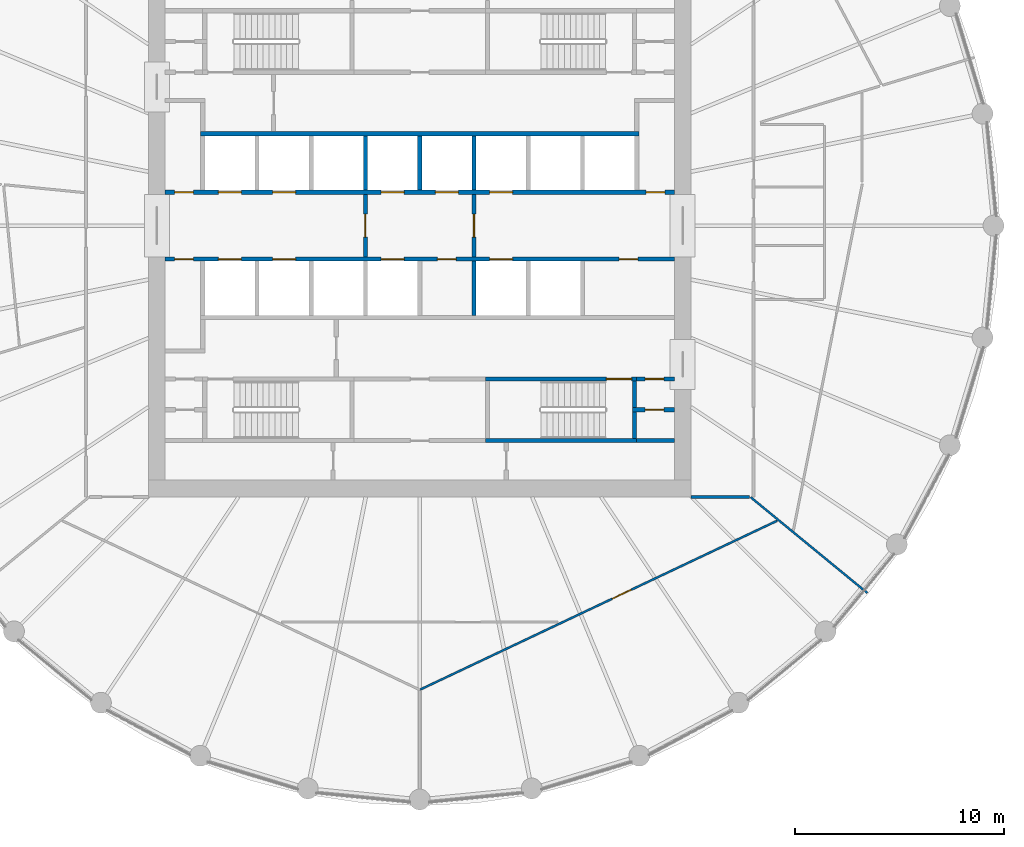
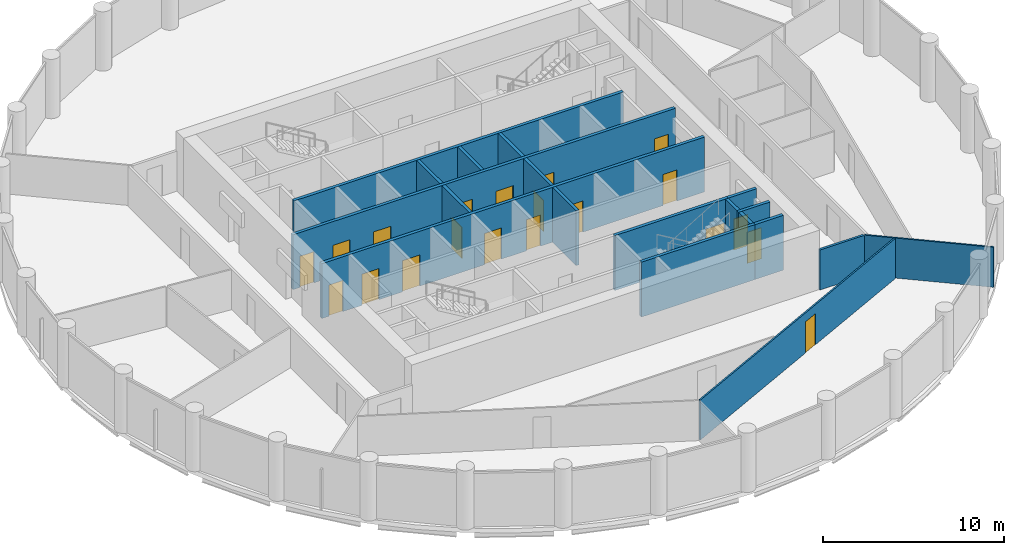
# One storey, part 5 of 8: 20 doors, 19 walls, 20 openings.
"""IFC4 building model written with IfcOpenShell, lengths in metres."""

from ifc_helpers import new_model, si_unit, direction, frame, frame_2d, origin, place, context, subcontext, project, spatial, polyline, rectangle, outline, extrude, material, layer, layer_set, type_object, element, fill, save


model = new_model("IFC4")

# Units and contexts
model_context = context("Model", 3, precision=1e-05, world=origin(), true_north=direction((0.0, 1.0)))
body_context = subcontext(model_context, "Body", "Model", "MODEL_VIEW")
ifc_project = project(units=[si_unit("LENGTHUNIT", "METRE"), si_unit("AREAUNIT", "SQUARE_METRE"), si_unit("VOLUMEUNIT", "CUBIC_METRE"), si_unit("PLANEANGLEUNIT", "RADIAN"), si_unit("MASSUNIT", "GRAM", prefix="KILO")], contexts=[model_context])

# Site, building, storey
site_placement = place(None, origin())
site = spatial("IfcSite", under=ifc_project, at=site_placement, CompositionType="ELEMENT")
building_placement = place(site_placement, origin())
building = spatial("IfcBuilding", under=site, at=building_placement, Name="Corvane Civic Tower", CompositionType="ELEMENT")
storey_placement = place(building_placement, frame((0.0, 0.0, 213.5)))
storey = spatial("IfcBuildingStorey", under=building, at=storey_placement, Name="L50", CompositionType="ELEMENT", Elevation=213.5)

# Wall, opening, door
ifc_material_1 = material(Name="Concrete C30/37", Category="concrete")
ifc_layer_1 = layer(ifc_material_1, 0.199951171875)
ifc_layer_set_1 = layer_set([ifc_layer_1], Name="Concrete C30/37")
wall_type_1 = type_object("IfcWallType", Name="CR-WALL-200", PredefinedType="PARTITIONING", material=ifc_layer_set_1)
wall_1_placement = place(storey_placement, frame((10.199951171875, -8.824951171875, 0.0), z_axis=(0.0, 0.0, 1.0), x_axis=(1.0, 0.0, 0.0)))
wall_1 = element("IfcWall", 1, at=wall_1_placement, inside=storey, type_object=wall_type_1, Name="L50 partition wall", PredefinedType="PARTITIONING", context=body_context, shape_type="SweptSolid", body=[
    extrude(rectangle(XDim=2.0, YDim=0.199951171875, at=frame_2d((1.0, 0.0))), origin(), (0.0, 0.0, 1.0), 3.699951171875),
])
opening_1_placement = place(wall_1_placement, frame((0.60009765625, 0.0, 0.0)))
opening_1 = element("IfcOpeningElement", 2, at=opening_1_placement, cuts=wall_1, Name="Opening L50.C21", PredefinedType="OPENING", context=body_context, shape_type="SweptSolid", body=[
    extrude(rectangle(XDim=0.89990234375, YDim=2.10009765625, at=frame_2d((0.449951171875, 1.050048828125))), frame((0.0, 0.10986328125, 0.0), z_axis=(0.0, -1.0, 0.0), x_axis=(1.0, 0.0, 0.0)), (0.0, 0.0, 1.0), 0.219970703125),
])
ifc_material_2 = material(Name="Steel fire door leaf", Category="steel")
door_type_1 = type_object("IfcDoorType", Name="CR-DOOR-900", OperationType="SINGLE_SWING_LEFT", PredefinedType="DOOR", material=ifc_material_2)
door_1_placement = place(opening_1_placement, origin())
door_1 = element("IfcDoor", 3, at=door_1_placement, inside=storey, type_object=door_type_1, Name="L50 door", OperationType="SINGLE_SWING_LEFT", OverallHeight=2.10009765625, OverallWidth=0.89990234375, PredefinedType="DOOR", context=body_context, shape_type="SweptSolid", body=[
    extrude(rectangle(XDim=0.89990234375, YDim=2.10009765625, at=frame_2d((0.449951171875, 1.050048828125))), frame((0.0, 0.02490234375, 0.0), z_axis=(0.0, -1.0, 0.0), x_axis=(1.0, 0.0, 0.0)), (0.0, 0.0, 1.0), 0.050048828125),
])
fill(opening_1, door_1)

wall_2_placement = place(storey_placement, frame((10.39990234375, -7.35009765625, 0.0), z_axis=(0.0, 0.0, 1.0), x_axis=(1.0, 0.0, 0.0)))
wall_2 = element("IfcWall", 4, at=wall_2_placement, inside=storey, type_object=wall_type_1, Name="L50 core partition wall", PredefinedType="PARTITIONING", context=body_context, shape_type="SweptSolid", body=[
    extrude(rectangle(XDim=1.800048828125, YDim=0.199951171875, at=frame_2d((0.89990234375, 0.0))), origin(), (0.0, 0.0, 1.0), 3.699951171875),
])
opening_2_placement = place(wall_2_placement, frame((0.39990234375, 0.0, 0.0)))
opening_2 = element("IfcOpeningElement", 5, at=opening_2_placement, cuts=wall_2, Name="Opening L50.C20", PredefinedType="OPENING", context=body_context, shape_type="SweptSolid", body=[
    extrude(rectangle(XDim=0.89990234375, YDim=2.10009765625, at=frame_2d((0.449951171875, 1.050048828125))), frame((0.0, 0.10986328125, 0.0), z_axis=(0.0, -1.0, 0.0), x_axis=(1.0, 0.0, 0.0)), (0.0, 0.0, 1.0), 0.219970703125),
])
door_2_placement = place(opening_2_placement, origin())
door_2 = element("IfcDoor", 6, at=door_2_placement, inside=storey, type_object=door_type_1, Name="L50 door", OperationType="SINGLE_SWING_LEFT", OverallHeight=2.10009765625, OverallWidth=0.89990234375, PredefinedType="DOOR", context=body_context, shape_type="SweptSolid", body=[
    extrude(rectangle(XDim=0.89990234375, YDim=2.10009765625, at=frame_2d((0.449951171875, 1.050048828125))), frame((0.0, 0.02490234375, 0.0), z_axis=(0.0, -1.0, 0.0), x_axis=(1.0, 0.0, 0.0)), (0.0, 0.0, 1.0), 0.050048828125),
])
fill(opening_2, door_2)

# Wall, openings, doors
wall_3_placement = place(storey_placement, frame((-12.199951171875, -1.60009765625, 0.0), z_axis=(0.0, 0.0, 1.0), x_axis=(1.0, 0.0, 0.0)))
wall_3 = element("IfcWall", 7, at=wall_3_placement, inside=storey, type_object=wall_type_1, Name="L50 lift shaft wall", PredefinedType="PARTITIONING", context=body_context, shape_type="SweptSolid", body=[
    extrude(rectangle(XDim=24.39990234375, YDim=0.199951171875, at=frame_2d((12.199951171875, 0.0))), origin(), (0.0, 0.0, 1.0), 3.699951171875),
])
opening_3_placement = place(wall_3_placement, frame((2.550048828125, 0.0, 0.0)))
opening_3 = element("IfcOpeningElement", 8, at=opening_3_placement, cuts=wall_3, Name="Opening LD", PredefinedType="OPENING", context=body_context, shape_type="SweptSolid", body=[
    extrude(rectangle(XDim=1.10009765625, YDim=2.10009765625, at=frame_2d((0.550048828125, 1.050048828125))), frame((0.0, 0.10986328125, 0.0), z_axis=(0.0, -1.0, 0.0), x_axis=(1.0, 0.0, 0.0)), (0.0, 0.0, 1.0), 0.219970703125),
])
opening_4_placement = place(wall_3_placement, frame((5.14990234375, 0.0, 0.0)))
opening_4 = element("IfcOpeningElement", 9, at=opening_4_placement, cuts=wall_3, Name="Opening LD", PredefinedType="OPENING", context=body_context, shape_type="SweptSolid", body=[
    extrude(rectangle(XDim=1.10009765625, YDim=2.10009765625, at=frame_2d((0.550048828125, 1.050048828125))), frame((0.0, 0.10986328125, 0.0), z_axis=(0.0, -1.0, 0.0), x_axis=(1.0, 0.0, 0.0)), (0.0, 0.0, 1.0), 0.219970703125),
])
opening_5_placement = place(wall_3_placement, frame((10.35009765625, 0.0, 0.0)))
opening_5 = element("IfcOpeningElement", 10, at=opening_5_placement, cuts=wall_3, Name="Opening LD", PredefinedType="OPENING", context=body_context, shape_type="SweptSolid", body=[
    extrude(rectangle(XDim=1.10009765625, YDim=2.10009765625, at=frame_2d((0.550048828125, 1.050048828125))), frame((0.0, 0.10986328125, 0.0), z_axis=(0.0, -1.0, 0.0), x_axis=(1.0, 0.0, 0.0)), (0.0, 0.0, 1.0), 0.219970703125),
])
opening_6_placement = place(wall_3_placement, frame((13.050048828125, 0.0, 0.0)))
opening_6 = element("IfcOpeningElement", 11, at=opening_6_placement, cuts=wall_3, Name="Opening L50.C03", PredefinedType="OPENING", context=body_context, shape_type="SweptSolid", body=[
    extrude(rectangle(XDim=0.89990234375, YDim=2.10009765625, at=frame_2d((0.449951171875, 1.050048828125))), frame((0.0, 0.10986328125, 0.0), z_axis=(0.0, -1.0, 0.0), x_axis=(1.0, 0.0, 0.0)), (0.0, 0.0, 1.0), 0.219970703125),
])
opening_7_placement = place(wall_3_placement, frame((15.550048828125, 0.0, 0.0)))
opening_7 = element("IfcOpeningElement", 12, at=opening_7_placement, cuts=wall_3, Name="Opening LD", PredefinedType="OPENING", context=body_context, shape_type="SweptSolid", body=[
    extrude(rectangle(XDim=1.10009765625, YDim=2.10009765625, at=frame_2d((0.550048828125, 1.050048828125))), frame((0.0, 0.10986328125, 0.0), z_axis=(0.0, -1.0, 0.0), x_axis=(1.0, 0.0, 0.0)), (0.0, 0.0, 1.0), 0.219970703125),
])
opening_8_placement = place(wall_3_placement, frame((0.449951171875, 0.0, 0.0)))
opening_8 = element("IfcOpeningElement", 13, at=opening_8_placement, cuts=wall_3, Name="Opening L50.C04", PredefinedType="OPENING", context=body_context, shape_type="SweptSolid", body=[
    extrude(rectangle(XDim=0.89990234375, YDim=2.10009765625, at=frame_2d((0.449951171875, 1.050048828125))), frame((0.0, 0.10986328125, 0.0), z_axis=(0.0, -1.0, 0.0), x_axis=(1.0, 0.0, 0.0)), (0.0, 0.0, 1.0), 0.219970703125),
])
opening_9_placement = place(wall_3_placement, frame((21.75, 0.0, 0.0)))
opening_9 = element("IfcOpeningElement", 14, at=opening_9_placement, cuts=wall_3, Name="Opening L50.C05", PredefinedType="OPENING", context=body_context, shape_type="SweptSolid", body=[
    extrude(rectangle(XDim=0.89990234375, YDim=2.10009765625, at=frame_2d((0.449951171875, 1.050048828125))), frame((0.0, 0.10986328125, 0.0), z_axis=(0.0, -1.0, 0.0), x_axis=(1.0, 0.0, 0.0)), (0.0, 0.0, 1.0), 0.219970703125),
])
door_3_placement = place(opening_6_placement, origin())
door_3 = element("IfcDoor", 15, at=door_3_placement, inside=storey, type_object=door_type_1, Name="L50 door", OperationType="SINGLE_SWING_LEFT", OverallHeight=2.10009765625, OverallWidth=0.89990234375, PredefinedType="DOOR", context=body_context, shape_type="SweptSolid", body=[
    extrude(rectangle(XDim=0.89990234375, YDim=2.10009765625, at=frame_2d((0.449951171875, 1.050048828125))), frame((0.0, 0.02490234375, 0.0), z_axis=(0.0, -1.0, 0.0), x_axis=(1.0, 0.0, 0.0)), (0.0, 0.0, 1.0), 0.050048828125),
])
fill(opening_6, door_3)
door_4_placement = place(opening_8_placement, origin())
door_4 = element("IfcDoor", 16, at=door_4_placement, inside=storey, type_object=door_type_1, Name="L50 door", OperationType="SINGLE_SWING_LEFT", OverallHeight=2.10009765625, OverallWidth=0.89990234375, PredefinedType="DOOR", context=body_context, shape_type="SweptSolid", body=[
    extrude(rectangle(XDim=0.89990234375, YDim=2.10009765625, at=frame_2d((0.449951171875, 1.050048828125))), frame((0.0, 0.02490234375, 0.0), z_axis=(0.0, -1.0, 0.0), x_axis=(1.0, 0.0, 0.0)), (0.0, 0.0, 1.0), 0.050048828125),
])
fill(opening_8, door_4)
door_5_placement = place(opening_9_placement, origin())
door_5 = element("IfcDoor", 17, at=door_5_placement, inside=storey, type_object=door_type_1, Name="L50 door", OperationType="SINGLE_SWING_LEFT", OverallHeight=2.10009765625, OverallWidth=0.89990234375, PredefinedType="DOOR", context=body_context, shape_type="SweptSolid", body=[
    extrude(rectangle(XDim=0.89990234375, YDim=2.10009765625, at=frame_2d((0.449951171875, 1.050048828125))), frame((0.0, 0.02490234375, 0.0), z_axis=(0.0, -1.0, 0.0), x_axis=(1.0, 0.0, 0.0)), (0.0, 0.0, 1.0), 0.050048828125),
])
fill(opening_9, door_5)
ifc_material_3 = material(Name="Stainless steel 316 door leaves", Category="steel")
door_type_2 = type_object("IfcDoorType", Name="LD", OperationType="DOUBLE_DOOR_SLIDING", PredefinedType="DOOR", material=ifc_material_3)
door_6_placement = place(opening_3_placement, origin())
door_6 = element("IfcDoor", 18, at=door_6_placement, inside=storey, type_object=door_type_2, Name="L50 landing door", OperationType="DOUBLE_DOOR_SLIDING", OverallHeight=2.10009765625, OverallWidth=1.10009765625, PredefinedType="DOOR", context=body_context, shape_type="SweptSolid", body=[
    extrude(rectangle(XDim=1.10009765625, YDim=2.10009765625, at=frame_2d((0.550048828125, 1.050048828125))), frame((0.0, 0.02490234375, 0.0), z_axis=(0.0, -1.0, 0.0), x_axis=(1.0, 0.0, 0.0)), (0.0, 0.0, 1.0), 0.050048828125),
])
fill(opening_3, door_6)
door_7_placement = place(opening_4_placement, origin())
door_7 = element("IfcDoor", 19, at=door_7_placement, inside=storey, type_object=door_type_2, Name="L50 landing door", OperationType="DOUBLE_DOOR_SLIDING", OverallHeight=2.10009765625, OverallWidth=1.10009765625, PredefinedType="DOOR", context=body_context, shape_type="SweptSolid", body=[
    extrude(rectangle(XDim=1.10009765625, YDim=2.10009765625, at=frame_2d((0.550048828125, 1.050048828125))), frame((0.0, 0.02490234375, 0.0), z_axis=(0.0, -1.0, 0.0), x_axis=(1.0, 0.0, 0.0)), (0.0, 0.0, 1.0), 0.050048828125),
])
fill(opening_4, door_7)
door_8_placement = place(opening_5_placement, origin())
door_8 = element("IfcDoor", 20, at=door_8_placement, inside=storey, type_object=door_type_2, Name="L50 landing door", OperationType="DOUBLE_DOOR_SLIDING", OverallHeight=2.10009765625, OverallWidth=1.10009765625, PredefinedType="DOOR", context=body_context, shape_type="SweptSolid", body=[
    extrude(rectangle(XDim=1.10009765625, YDim=2.10009765625, at=frame_2d((0.550048828125, 1.050048828125))), frame((0.0, 0.02490234375, 0.0), z_axis=(0.0, -1.0, 0.0), x_axis=(1.0, 0.0, 0.0)), (0.0, 0.0, 1.0), 0.050048828125),
])
fill(opening_5, door_8)
door_9_placement = place(opening_7_placement, origin())
door_9 = element("IfcDoor", 21, at=door_9_placement, inside=storey, type_object=door_type_2, Name="L50 landing door", OperationType="DOUBLE_DOOR_SLIDING", OverallHeight=2.10009765625, OverallWidth=1.10009765625, PredefinedType="DOOR", context=body_context, shape_type="SweptSolid", body=[
    extrude(rectangle(XDim=1.10009765625, YDim=2.10009765625, at=frame_2d((0.550048828125, 1.050048828125))), frame((0.0, 0.02490234375, 0.0), z_axis=(0.0, -1.0, 0.0), x_axis=(1.0, 0.0, 0.0)), (0.0, 0.0, 1.0), 0.050048828125),
])
fill(opening_7, door_9)

wall_4_placement = place(storey_placement, frame((-12.199951171875, 1.60009765625, 0.0), z_axis=(0.0, 0.0, 1.0), x_axis=(1.0, 0.0, 0.0)))
wall_4 = element("IfcWall", 22, at=wall_4_placement, inside=storey, type_object=wall_type_1, Name="L50 lift shaft wall", PredefinedType="PARTITIONING", context=body_context, shape_type="SweptSolid", body=[
    extrude(rectangle(XDim=24.39990234375, YDim=0.199951171875, at=frame_2d((12.199951171875, 0.0))), origin(), (0.0, 0.0, 1.0), 3.699951171875),
])
opening_10_placement = place(wall_4_placement, frame((2.550048828125, 0.0, 0.0)))
opening_10 = element("IfcOpeningElement", 23, at=opening_10_placement, cuts=wall_4, Name="Opening LD", PredefinedType="OPENING", context=body_context, shape_type="SweptSolid", body=[
    extrude(rectangle(XDim=1.10009765625, YDim=2.10009765625, at=frame_2d((0.550048828125, 1.050048828125))), frame((0.0, 0.10986328125, 0.0), z_axis=(0.0, -1.0, 0.0), x_axis=(1.0, 0.0, 0.0)), (0.0, 0.0, 1.0), 0.219970703125),
])
opening_11_placement = place(wall_4_placement, frame((5.14990234375, 0.0, 0.0)))
opening_11 = element("IfcOpeningElement", 24, at=opening_11_placement, cuts=wall_4, Name="Opening LD", PredefinedType="OPENING", context=body_context, shape_type="SweptSolid", body=[
    extrude(rectangle(XDim=1.10009765625, YDim=2.10009765625, at=frame_2d((0.550048828125, 1.050048828125))), frame((0.0, 0.10986328125, 0.0), z_axis=(0.0, -1.0, 0.0), x_axis=(1.0, 0.0, 0.0)), (0.0, 0.0, 1.0), 0.219970703125),
])
opening_12_placement = place(wall_4_placement, frame((10.35009765625, 0.0, 0.0)))
opening_12 = element("IfcOpeningElement", 25, at=opening_12_placement, cuts=wall_4, Name="Opening LD", PredefinedType="OPENING", context=body_context, shape_type="SweptSolid", body=[
    extrude(rectangle(XDim=1.10009765625, YDim=2.10009765625, at=frame_2d((0.550048828125, 1.050048828125))), frame((0.0, 0.10986328125, 0.0), z_axis=(0.0, -1.0, 0.0), x_axis=(1.0, 0.0, 0.0)), (0.0, 0.0, 1.0), 0.219970703125),
])
opening_13_placement = place(wall_4_placement, frame((12.949951171875, 0.0, 0.0)))
opening_13 = element("IfcOpeningElement", 26, at=opening_13_placement, cuts=wall_4, Name="Opening LD", PredefinedType="OPENING", context=body_context, shape_type="SweptSolid", body=[
    extrude(rectangle(XDim=1.10009765625, YDim=2.10009765625, at=frame_2d((0.550048828125, 1.050048828125))), frame((0.0, 0.10986328125, 0.0), z_axis=(0.0, -1.0, 0.0), x_axis=(1.0, 0.0, 0.0)), (0.0, 0.0, 1.0), 0.219970703125),
])
opening_14_placement = place(wall_4_placement, frame((15.550048828125, 0.0, 0.0)))
opening_14 = element("IfcOpeningElement", 27, at=opening_14_placement, cuts=wall_4, Name="Opening LD", PredefinedType="OPENING", context=body_context, shape_type="SweptSolid", body=[
    extrude(rectangle(XDim=1.10009765625, YDim=2.10009765625, at=frame_2d((0.550048828125, 1.050048828125))), frame((0.0, 0.10986328125, 0.0), z_axis=(0.0, -1.0, 0.0), x_axis=(1.0, 0.0, 0.0)), (0.0, 0.0, 1.0), 0.219970703125),
])
opening_15_placement = place(wall_4_placement, frame((0.449951171875, 0.0, 0.0)))
opening_15 = element("IfcOpeningElement", 28, at=opening_15_placement, cuts=wall_4, Name="Opening L50.C01", PredefinedType="OPENING", context=body_context, shape_type="SweptSolid", body=[
    extrude(rectangle(XDim=0.89990234375, YDim=2.10009765625, at=frame_2d((0.449951171875, 1.050048828125))), frame((0.0, 0.10986328125, 0.0), z_axis=(0.0, -1.0, 0.0), x_axis=(1.0, 0.0, 0.0)), (0.0, 0.0, 1.0), 0.219970703125),
])
opening_16_placement = place(wall_4_placement, frame((23.050048828125, 0.0, 0.0)))
opening_16 = element("IfcOpeningElement", 29, at=opening_16_placement, cuts=wall_4, Name="Opening L50.C02", PredefinedType="OPENING", context=body_context, shape_type="SweptSolid", body=[
    extrude(rectangle(XDim=0.89990234375, YDim=2.10009765625, at=frame_2d((0.449951171875, 1.050048828125))), frame((0.0, 0.10986328125, 0.0), z_axis=(0.0, -1.0, 0.0), x_axis=(1.0, 0.0, 0.0)), (0.0, 0.0, 1.0), 0.219970703125),
])
door_10_placement = place(opening_15_placement, origin())
door_10 = element("IfcDoor", 30, at=door_10_placement, inside=storey, type_object=door_type_1, Name="L50 door", OperationType="SINGLE_SWING_LEFT", OverallHeight=2.10009765625, OverallWidth=0.89990234375, PredefinedType="DOOR", context=body_context, shape_type="SweptSolid", body=[
    extrude(rectangle(XDim=0.89990234375, YDim=2.10009765625, at=frame_2d((0.449951171875, 1.050048828125))), frame((0.0, 0.02490234375, 0.0), z_axis=(0.0, -1.0, 0.0), x_axis=(1.0, 0.0, 0.0)), (0.0, 0.0, 1.0), 0.050048828125),
])
fill(opening_15, door_10)
door_11_placement = place(opening_16_placement, origin())
door_11 = element("IfcDoor", 31, at=door_11_placement, inside=storey, type_object=door_type_1, Name="L50 door", OperationType="SINGLE_SWING_LEFT", OverallHeight=2.10009765625, OverallWidth=0.89990234375, PredefinedType="DOOR", context=body_context, shape_type="SweptSolid", body=[
    extrude(rectangle(XDim=0.89990234375, YDim=2.10009765625, at=frame_2d((0.449951171875, 1.050048828125))), frame((0.0, 0.02490234375, 0.0), z_axis=(0.0, -1.0, 0.0), x_axis=(1.0, 0.0, 0.0)), (0.0, 0.0, 1.0), 0.050048828125),
])
fill(opening_16, door_11)
door_12_placement = place(opening_10_placement, origin())
door_12 = element("IfcDoor", 32, at=door_12_placement, inside=storey, type_object=door_type_2, Name="L50 landing door", OperationType="DOUBLE_DOOR_SLIDING", OverallHeight=2.10009765625, OverallWidth=1.10009765625, PredefinedType="DOOR", context=body_context, shape_type="SweptSolid", body=[
    extrude(rectangle(XDim=1.10009765625, YDim=2.10009765625, at=frame_2d((0.550048828125, 1.050048828125))), frame((0.0, 0.02490234375, 0.0), z_axis=(0.0, -1.0, 0.0), x_axis=(1.0, 0.0, 0.0)), (0.0, 0.0, 1.0), 0.050048828125),
])
fill(opening_10, door_12)
door_13_placement = place(opening_11_placement, origin())
door_13 = element("IfcDoor", 33, at=door_13_placement, inside=storey, type_object=door_type_2, Name="L50 landing door", OperationType="DOUBLE_DOOR_SLIDING", OverallHeight=2.10009765625, OverallWidth=1.10009765625, PredefinedType="DOOR", context=body_context, shape_type="SweptSolid", body=[
    extrude(rectangle(XDim=1.10009765625, YDim=2.10009765625, at=frame_2d((0.550048828125, 1.050048828125))), frame((0.0, 0.02490234375, 0.0), z_axis=(0.0, -1.0, 0.0), x_axis=(1.0, 0.0, 0.0)), (0.0, 0.0, 1.0), 0.050048828125),
])
fill(opening_11, door_13)
door_14_placement = place(opening_12_placement, origin())
door_14 = element("IfcDoor", 34, at=door_14_placement, inside=storey, type_object=door_type_2, Name="L50 landing door", OperationType="DOUBLE_DOOR_SLIDING", OverallHeight=2.10009765625, OverallWidth=1.10009765625, PredefinedType="DOOR", context=body_context, shape_type="SweptSolid", body=[
    extrude(rectangle(XDim=1.10009765625, YDim=2.10009765625, at=frame_2d((0.550048828125, 1.050048828125))), frame((0.0, 0.02490234375, 0.0), z_axis=(0.0, -1.0, 0.0), x_axis=(1.0, 0.0, 0.0)), (0.0, 0.0, 1.0), 0.050048828125),
])
fill(opening_12, door_14)
door_15_placement = place(opening_13_placement, origin())
door_15 = element("IfcDoor", 35, at=door_15_placement, inside=storey, type_object=door_type_2, Name="L50 landing door", OperationType="DOUBLE_DOOR_SLIDING", OverallHeight=2.10009765625, OverallWidth=1.10009765625, PredefinedType="DOOR", context=body_context, shape_type="SweptSolid", body=[
    extrude(rectangle(XDim=1.10009765625, YDim=2.10009765625, at=frame_2d((0.550048828125, 1.050048828125))), frame((0.0, 0.02490234375, 0.0), z_axis=(0.0, -1.0, 0.0), x_axis=(1.0, 0.0, 0.0)), (0.0, 0.0, 1.0), 0.050048828125),
])
fill(opening_13, door_15)
door_16_placement = place(opening_14_placement, origin())
door_16 = element("IfcDoor", 36, at=door_16_placement, inside=storey, type_object=door_type_2, Name="L50 landing door", OperationType="DOUBLE_DOOR_SLIDING", OverallHeight=2.10009765625, OverallWidth=1.10009765625, PredefinedType="DOOR", context=body_context, shape_type="SweptSolid", body=[
    extrude(rectangle(XDim=1.10009765625, YDim=2.10009765625, at=frame_2d((0.550048828125, 1.050048828125))), frame((0.0, 0.02490234375, 0.0), z_axis=(0.0, -1.0, 0.0), x_axis=(1.0, 0.0, 0.0)), (0.0, 0.0, 1.0), 0.050048828125),
])
fill(opening_14, door_16)

# Wall, opening, door
wall_5_placement = place(storey_placement, frame((-2.60009765625, -1.5, 0.0), z_axis=(0.0, 0.0, 1.0), x_axis=(0.0, 1.0, 0.0)))
wall_5 = element("IfcWall", 37, at=wall_5_placement, inside=storey, type_object=wall_type_1, Name="L50 firefighting lobby wall", PredefinedType="PARTITIONING", context=body_context, shape_type="SweptSolid", body=[
    extrude(rectangle(XDim=3.0, YDim=0.199951171875, at=frame_2d((1.5, 0.0))), origin(), (0.0, 0.0, 1.0), 3.699951171875),
])
opening_17_placement = place(wall_5_placement, frame((0.949951171875, 0.0, 0.0)))
opening_17 = element("IfcOpeningElement", 38, at=opening_17_placement, cuts=wall_5, Name="Opening L50.C26", PredefinedType="OPENING", context=body_context, shape_type="SweptSolid", body=[
    extrude(rectangle(XDim=1.10009765625, YDim=2.10009765625, at=frame_2d((0.550048828125, 1.050048828125))), frame((0.0, 0.10986328125, 0.0), z_axis=(0.0, -1.0, 0.0), x_axis=(1.0, 0.0, 0.0)), (0.0, 0.0, 1.0), 0.219970703125),
])
ifc_material_4 = material(Name="Steel fire door leaf", Category="steel")
door_type_3 = type_object("IfcDoorType", Name="CR-DOOR-FFL-1100", OperationType="SINGLE_SWING_LEFT", PredefinedType="DOOR", material=ifc_material_4)
door_17_placement = place(opening_17_placement, origin())
door_17 = element("IfcDoor", 39, at=door_17_placement, inside=storey, type_object=door_type_3, Name="L50 lobby door", OperationType="SINGLE_SWING_LEFT", OverallHeight=2.10009765625, OverallWidth=1.10009765625, PredefinedType="DOOR", context=body_context, shape_type="SweptSolid", body=[
    extrude(rectangle(XDim=1.10009765625, YDim=2.10009765625, at=frame_2d((0.550048828125, 1.050048828125))), frame((0.0, 0.02490234375, 0.0), z_axis=(0.0, -1.0, 0.0), x_axis=(1.0, 0.0, 0.0)), (0.0, 0.0, 1.0), 0.050048828125),
])
fill(opening_17, door_17)

wall_6_placement = place(storey_placement, frame((2.60009765625, -1.5, 0.0), z_axis=(0.0, 0.0, 1.0), x_axis=(0.0, 1.0, 0.0)))
wall_6 = element("IfcWall", 40, at=wall_6_placement, inside=storey, type_object=wall_type_1, Name="L50 firefighting lobby wall", PredefinedType="PARTITIONING", context=body_context, shape_type="SweptSolid", body=[
    extrude(rectangle(XDim=3.0, YDim=0.199951171875, at=frame_2d((1.5, 0.0))), origin(), (0.0, 0.0, 1.0), 3.699951171875),
])
opening_18_placement = place(wall_6_placement, frame((0.949951171875, 0.0, 0.0)))
opening_18 = element("IfcOpeningElement", 41, at=opening_18_placement, cuts=wall_6, Name="Opening L50.C27", PredefinedType="OPENING", context=body_context, shape_type="SweptSolid", body=[
    extrude(rectangle(XDim=1.10009765625, YDim=2.10009765625, at=frame_2d((0.550048828125, 1.050048828125))), frame((0.0, 0.10986328125, 0.0), z_axis=(0.0, -1.0, 0.0), x_axis=(1.0, 0.0, 0.0)), (0.0, 0.0, 1.0), 0.219970703125),
])
door_18_placement = place(opening_18_placement, origin())
door_18 = element("IfcDoor", 42, at=door_18_placement, inside=storey, type_object=door_type_3, Name="L50 lobby door", OperationType="SINGLE_SWING_LEFT", OverallHeight=2.10009765625, OverallWidth=1.10009765625, PredefinedType="DOOR", context=body_context, shape_type="SweptSolid", body=[
    extrude(rectangle(XDim=1.10009765625, YDim=2.10009765625, at=frame_2d((0.550048828125, 1.050048828125))), frame((0.0, 0.02490234375, 0.0), z_axis=(0.0, -1.0, 0.0), x_axis=(1.0, 0.0, 0.0)), (0.0, 0.0, 1.0), 0.050048828125),
])
fill(opening_18, door_18)

# Walls
wall_7_placement = place(storey_placement, origin())
element("IfcWall", 43, at=wall_7_placement, inside=storey, type_object=wall_type_1, Name="L50 core partition wall", PredefinedType="PARTITIONING", context=body_context, shape_type="SweptSolid", body=[
    extrude(outline(polyline([(2.699951171875, -1.699951171875), (2.699951171875, -4.2998046875), (2.5, -4.2998046875), (2.5, -1.699951171875), (2.699951171875, -1.699951171875)])), origin(), (0.0, 0.0, 1.0), 3.699951171875),
])
wall_8_placement = place(storey_placement, origin())
element("IfcWall", 44, at=wall_8_placement, inside=storey, type_object=wall_type_1, Name="L50 core partition wall", PredefinedType="PARTITIONING", context=body_context, shape_type="SweptSolid", body=[
    extrude(outline(polyline([(10.5, 4.5), (10.5, 4.300048828125), (-10.5, 4.300048828125), (-10.5, 4.5), (10.5, 4.5)])), origin(), (0.0, 0.0, 1.0), 3.699951171875),
])
wall_9_placement = place(storey_placement, origin())
element("IfcWall", 45, at=wall_9_placement, inside=storey, type_object=wall_type_1, Name="L50 core partition wall", PredefinedType="PARTITIONING", context=body_context, shape_type="SweptSolid", body=[
    extrude(outline(polyline([(-2.5, 1.699951171875), (-2.699951171875, 1.699951171875), (-2.699951171875, 4.2998046875), (-2.5, 4.2998046875), (-2.5, 1.699951171875)])), origin(), (0.0, 0.0, 1.0), 3.699951171875),
])
wall_10_placement = place(storey_placement, origin())
element("IfcWall", 46, at=wall_10_placement, inside=storey, type_object=wall_type_1, Name="L50 core partition wall", PredefinedType="PARTITIONING", context=body_context, shape_type="SweptSolid", body=[
    extrude(outline(polyline([(2.699951171875, 1.699951171875), (2.5, 1.699951171875), (2.5, 4.2998046875), (2.699951171875, 4.2998046875), (2.699951171875, 1.699951171875)])), origin(), (0.0, 0.0, 1.0), 3.699951171875),
])
wall_11_placement = place(storey_placement, origin())
element("IfcWall", 47, at=wall_11_placement, inside=storey, type_object=wall_type_1, Name="L50 core partition wall", PredefinedType="PARTITIONING", context=body_context, shape_type="SweptSolid", body=[
    extrude(outline(polyline([(0.10009765625, 1.699951171875), (-0.10009765625, 1.699951171875), (-0.10009765625, 4.2998046875), (0.10009765625, 4.2998046875), (0.10009765625, 1.699951171875)])), origin(), (0.0, 0.0, 1.0), 3.699951171875),
])
wall_12_placement = place(storey_placement, origin())
element("IfcWall", 48, at=wall_12_placement, inside=storey, type_object=wall_type_1, Name="L50 core partition wall", PredefinedType="PARTITIONING", context=body_context, shape_type="SweptSolid", body=[
    extrude(outline(polyline([(12.199951171875, -10.39990234375), (10.39990234375, -10.39990234375), (10.39990234375, -10.199951171875), (12.199951171875, -10.199951171875), (12.199951171875, -10.39990234375)])), origin(), (0.0, 0.0, 1.0), 3.699951171875),
])

# Wall, opening, door
ifc_material_5 = material(Name="Plasterboard")
ifc_layer_2 = layer(ifc_material_5, 0.10009765625)
ifc_layer_set_2 = layer_set([ifc_layer_2], Name="Plasterboard")
wall_type_2 = type_object("IfcWallType", Name="Partition 100 plasterboard on studs", PredefinedType="PARTITIONING", material=ifc_layer_set_2)
wall_13_placement = place(storey_placement, frame((0.028564453125, -22.22998046875, 0.0), z_axis=(0.0, 0.0, 1.0), x_axis=(0.903991891137, 0.42754960035, 0.0)))
wall_13 = element("IfcWall", 49, at=wall_13_placement, inside=storey, type_object=wall_type_2, Name="Partition L50.003", PredefinedType="PARTITIONING", context=body_context, shape_type="SweptSolid", body=[
    extrude(rectangle(XDim=18.909912109375, YDim=0.10009765625, at=frame_2d((9.455078125, 0.0))), origin(), (0.0, 0.0, 1.0), 2.699951171875),
])
opening_19_placement = place(wall_13_placement, frame((10.17578125, 0.0, 0.0)))
opening_19 = element("IfcOpeningElement", 50, at=opening_19_placement, cuts=wall_13, Name="Opening L50.002", PredefinedType="OPENING", context=body_context, shape_type="SweptSolid", body=[
    extrude(rectangle(XDim=1.0, YDim=2.10009765625, at=frame_2d((0.5, 1.050048828125))), frame((0.0, 0.06005859375, 0.0), z_axis=(0.0, -1.0, 0.0), x_axis=(1.0, 0.0, 0.0)), (0.0, 0.0, 1.0), 0.1201171875),
])
ifc_material_6 = material(Name="Timber", Category="wood")
door_type_4 = type_object("IfcDoorType", Name="Single door 1000", OperationType="NOTDEFINED", PredefinedType="DOOR", material=ifc_material_6)
door_19_placement = place(opening_19_placement, frame((1.0, 0.0, 0.0), z_axis=(0.0, 0.0, 1.0), x_axis=(-1.0, 0.0, 0.0)))
door_19 = element("IfcDoor", 51, at=door_19_placement, inside=storey, type_object=door_type_4, Name="Door L50.002", OperationType="SINGLE_SWING_LEFT", OverallHeight=2.10009765625, OverallWidth=1.0, PredefinedType="DOOR", context=body_context, shape_type="SweptSolid", body=[
    extrude(rectangle(XDim=1.0, YDim=2.10009765625, at=frame_2d((0.5, 1.050048828125))), frame((0.0, 0.02490234375, 0.0), z_axis=(0.0, -1.0, 0.0), x_axis=(1.0, 0.0, 0.0)), (0.0, 0.0, 1.0), 0.050048828125),
])
fill(opening_19, door_19)

# Wall
wall_14_placement = place(storey_placement, frame((15.8544921875, -13.01123046875, 0.0), z_axis=(0.0, 0.0, 1.0), x_axis=(0.772997895748, -0.634408585352, 0.0)))
element("IfcWall", 52, at=wall_14_placement, inside=storey, type_object=wall_type_2, Name="Partition L50.006", PredefinedType="PARTITIONING", context=body_context, shape_type="SweptSolid", body=[
    extrude(rectangle(XDim=7.240234375, YDim=0.10009765625, at=frame_2d((3.6201171875, 0.0))), origin(), (0.0, 0.0, 1.0), 2.699951171875),
])

# Wall, opening, door
ifc_material_7 = material(Name="Concrete C50/60", Category="concrete")
ifc_layer_3 = layer(ifc_material_7, 0.199951171875)
ifc_layer_set_3 = layer_set([ifc_layer_3], Name="Concrete C50/60")
wall_type_3 = type_object("IfcWallType", Name="ST-WALL-200", PredefinedType="SHEAR", material=ifc_layer_set_3)
wall_15_placement = place(storey_placement, frame((3.14990234375, -7.35009765625, 0.0), z_axis=(0.0, 0.0, 1.0), x_axis=(1.0, 0.0, 0.0)))
wall_15 = element("IfcWall", 53, at=wall_15_placement, inside=storey, type_object=wall_type_3, Name="L50 stair enclosure wall", PredefinedType="SHEAR", context=body_context, shape_type="SweptSolid", body=[
    extrude(rectangle(XDim=7.25, YDim=0.199951171875, at=frame_2d((3.625, 0.0))), origin(), (0.0, 0.0, 1.0), 3.699951171875),
])
opening_20_placement = place(wall_15_placement, frame((5.800048828125, 0.0, 0.0)))
opening_20 = element("IfcOpeningElement", 54, at=opening_20_placement, cuts=wall_15, Name="Opening L50.C24", PredefinedType="OPENING", context=body_context, shape_type="SweptSolid", body=[
    extrude(rectangle(XDim=1.199951171875, YDim=2.10009765625, at=frame_2d((0.60009765625, 1.050048828125))), frame((0.0, 0.10986328125, 0.0), z_axis=(0.0, -1.0, 0.0), x_axis=(1.0, 0.0, 0.0)), (0.0, 0.0, 1.0), 0.219970703125),
])
ifc_material_8 = material(Name="Steel fire door leaf", Category="steel")
door_type_5 = type_object("IfcDoorType", Name="ST-DOOR-1200", OperationType="SINGLE_SWING_RIGHT", PredefinedType="DOOR", material=ifc_material_8)
door_20_placement = place(opening_20_placement, origin())
door_20 = element("IfcDoor", 55, at=door_20_placement, inside=storey, type_object=door_type_5, Name="L50 stair door", OperationType="SINGLE_SWING_RIGHT", OverallHeight=2.10009765625, OverallWidth=1.199951171875, PredefinedType="DOOR", context=body_context, shape_type="SweptSolid", body=[
    extrude(rectangle(XDim=1.199951171875, YDim=2.10009765625, at=frame_2d((0.60009765625, 1.050048828125))), frame((0.0, 0.02490234375, 0.0), z_axis=(0.0, -1.0, 0.0), x_axis=(1.0, 0.0, 0.0)), (0.0, 0.0, 1.0), 0.050048828125),
])
fill(opening_20, door_20)

# Walls
wall_16_placement = place(storey_placement, origin())
element("IfcWall", 56, at=wall_16_placement, inside=storey, type_object=wall_type_3, Name="L50 stair enclosure wall", PredefinedType="SHEAR", context=body_context, shape_type="SweptSolid", body=[
    extrude(outline(polyline([(10.39990234375, -10.39990234375), (3.14990234375, -10.39990234375), (3.14990234375, -10.199951171875), (10.39990234375, -10.199951171875), (10.39990234375, -10.39990234375)])), origin(), (0.0, 0.0, 1.0), 3.699951171875),
])
wall_17_placement = place(storey_placement, origin())
element("IfcWall", 57, at=wall_17_placement, inside=storey, type_object=wall_type_3, Name="L50 stair enclosure wall", PredefinedType="SHEAR", context=body_context, shape_type="SweptSolid", body=[
    extrude(outline(polyline([(10.39990234375, -7.449951171875), (10.39990234375, -8.72509765625), (10.199951171875, -8.72509765625), (10.199951171875, -7.449951171875), (10.39990234375, -7.449951171875)])), origin(), (0.0, 0.0, 1.0), 3.699951171875),
])
wall_18_placement = place(storey_placement, origin())
element("IfcWall", 58, at=wall_18_placement, inside=storey, type_object=wall_type_3, Name="L50 stair enclosure wall", PredefinedType="SHEAR", context=body_context, shape_type="SweptSolid", body=[
    extrude(outline(polyline([(10.39990234375, -8.925048828125), (10.39990234375, -10.199951171875), (10.199951171875, -10.199951171875), (10.199951171875, -8.925048828125), (10.39990234375, -8.925048828125)])), origin(), (0.0, 0.0, 1.0), 3.699951171875),
])
ifc_material_9 = material(Name="Plasterboard")
ifc_layer_4 = layer(ifc_material_9, 0.14990234375)
ifc_layer_set_4 = layer_set([ifc_layer_4], Name="Plasterboard")
wall_type_4 = type_object("IfcWallType", Name="Tenancy wall 150 EI 60", PredefinedType="PARTITIONING", material=ifc_layer_set_4)
wall_19_placement = place(storey_placement, frame((12.989990234375, -13.0, 0.0), z_axis=(0.0, 0.0, 1.0), x_axis=(1.0, 0.0, 0.0)))
element("IfcWall", 59, at=wall_19_placement, inside=storey, type_object=wall_type_4, Name="Partition L50.010", PredefinedType="PARTITIONING", context=body_context, shape_type="SweptSolid", body=[
    extrude(rectangle(XDim=2.82373046875, YDim=0.14990234375, at=frame_2d((1.411865234375, 0.0))), origin(), (0.0, 0.0, 1.0), 2.699951171875),
])

save(model, "model.ifc")
